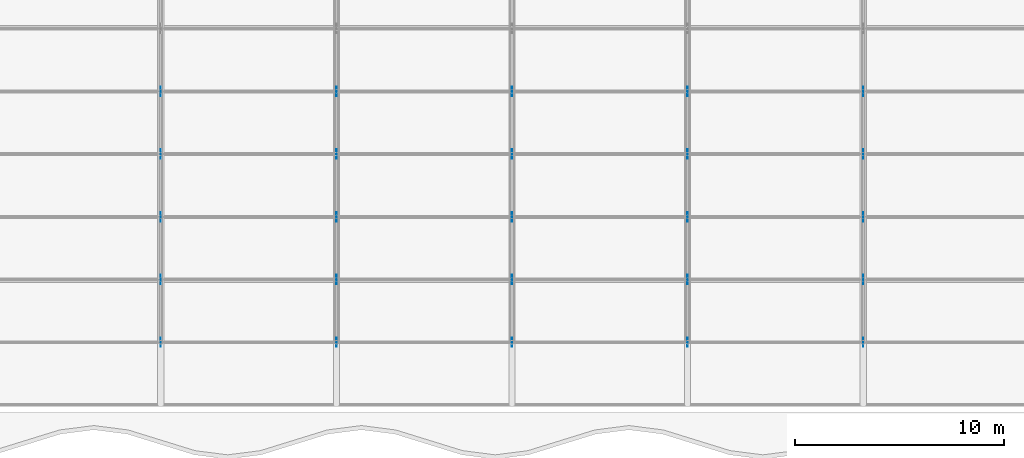
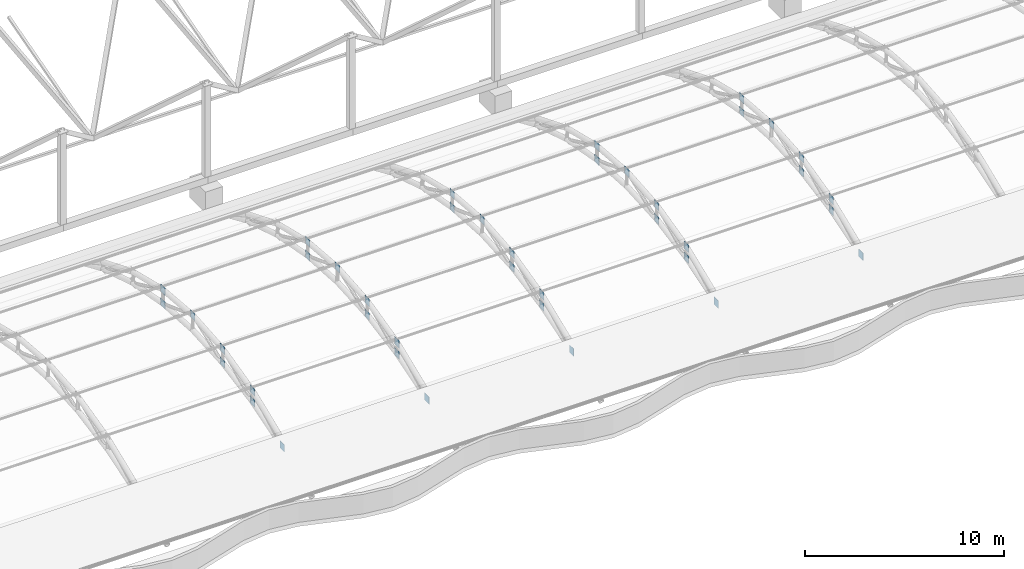
# One storey, part 124 of 163: 40 discrete accessories.
"""IFC4 building model written with IfcOpenShell, lengths in metres."""

from ifc_helpers import new_model, si_unit, direction, frame, origin, origin_2d, place, context, subcontext, project, spatial, rectangle, extrude, material, layer, layer_set, type_object, element, save


model = new_model("IFC4")

# Units and contexts
model_context = context("Model", 3, precision=1e-05, world=origin(), true_north=direction((0.0, 1.0)))
body_context = subcontext(model_context, "Body", "Model", "MODEL_VIEW")
ifc_project = project(units=[si_unit("LENGTHUNIT", "METRE"), si_unit("AREAUNIT", "SQUARE_METRE"), si_unit("VOLUMEUNIT", "CUBIC_METRE"), si_unit("PLANEANGLEUNIT", "RADIAN"), si_unit("MASSUNIT", "GRAM", prefix="KILO")], contexts=[model_context])

# Site, building, storey
site_placement = place(None, origin())
site = spatial("IfcSite", under=ifc_project, at=site_placement, CompositionType="ELEMENT")
building_placement = place(site_placement, origin())
building = spatial("IfcBuilding", under=site, at=building_placement, Name="Rain Tree Exposition and Congress Centre", CompositionType="ELEMENT")
storey_placement = place(building_placement, frame((0.0, 0.0, 10.5)))
storey = spatial("IfcBuildingStorey", under=building, at=storey_placement, Name="L02", CompositionType="ELEMENT", Elevation=10.5)

# Discrete accessories
ifc_material = material(Name="Steel plate S355J2", Category="steel")
ifc_layer = layer(ifc_material, 0.02001953125)
ifc_layer_set = layer_set([ifc_layer], Name="Steel plate S355J2")
discrete_accessory_type = type_object("IfcDiscreteAccessoryType", Name="Brace node plate 450x450x20", PredefinedType="BRACKET", material=ifc_layer_set)
for number, where, z_axis, x_axis, name in (
    (1, (67.199951171875, 78.60009765625, 1.21728515625), (0.0, 0.0, 1.0), (0.0, 1.0, 0.0), "Brace node plate 450"),
    (2, (67.199951171875, 81.60009765625, 2.830078125), (0.0, 0.0, 1.0), (0.0, -1.0, 0.0), "Brace node plate 450"),
    (3, (67.199951171875, 81.60009765625, 2.15478515625), (0.0, 0.0, 1.0), (0.0, 1.0, 0.0), "Brace node plate 450"),
    (4, (67.199951171875, 84.60009765625, 3.5615234375), (0.0, 0.0, 1.0), (0.0, -1.0, 0.0), "Brace node plate 450"),
    (5, (67.199951171875, 84.60009765625, 2.71728515625), (0.0, 0.0, 1.0), (0.0, 1.0, 0.0), "Brace node plate 450"),
    (6, (67.199951171875, 87.60009765625, 3.80517578125), (0.0, 0.0, 1.0), (0.0, 1.0, 0.0), "Brace node plate 450"),
    (7, (67.199951171875, 90.60009765625, 2.71728515625), (0.0, 0.0, 1.0), (0.0, -1.0, 0.0), "Brace node plate 450"),
    (8, (67.199951171875, 90.60009765625, 3.5615234375), (0.0, 0.0, 1.0), (0.0, 1.0, 0.0), "Brace node plate 450"),
    (9, (75.60009765625, 78.60009765625, 1.21728515625), (0.0, 0.0, 1.0), (0.0, 1.0, 0.0), "Brace node plate 450"),
    (10, (75.60009765625, 81.60009765625, 2.830078125), (0.0, 0.0, 1.0), (0.0, -1.0, 0.0), "Brace node plate 450"),
    (11, (75.60009765625, 81.60009765625, 2.15478515625), (0.0, 0.0, 1.0), (0.0, 1.0, 0.0), "Brace node plate 450"),
    (12, (75.60009765625, 84.60009765625, 3.5615234375), (0.0, 0.0, 1.0), (0.0, -1.0, 0.0), "Brace node plate 450"),
    (13, (75.60009765625, 84.60009765625, 2.71728515625), (0.0, 0.0, 1.0), (0.0, 1.0, 0.0), "Brace node plate 450"),
    (14, (75.60009765625, 87.60009765625, 3.80517578125), (0.0, 0.0, 1.0), (0.0, 1.0, 0.0), "Brace node plate 450"),
    (15, (75.60009765625, 90.60009765625, 2.71728515625), (0.0, 0.0, 1.0), (0.0, -1.0, 0.0), "Brace node plate 450"),
    (16, (75.60009765625, 90.60009765625, 3.5615234375), (0.0, 0.0, 1.0), (0.0, 1.0, 0.0), "Brace node plate 450"),
    (17, (84.0, 78.60009765625, 1.21728515625), (0.0, 0.0, 1.0), (0.0, 1.0, 0.0), "Brace node plate 450"),
    (18, (84.0, 81.60009765625, 2.830078125), (0.0, 0.0, 1.0), (0.0, -1.0, 0.0), "Brace node plate 450"),
    (19, (84.0, 81.60009765625, 2.15478515625), (0.0, 0.0, 1.0), (0.0, 1.0, 0.0), "Brace node plate 450"),
    (20, (84.0, 84.60009765625, 3.5615234375), (0.0, 0.0, 1.0), (0.0, -1.0, 0.0), "Brace node plate 450"),
    (21, (84.0, 84.60009765625, 2.71728515625), (0.0, 0.0, 1.0), (0.0, 1.0, 0.0), "Brace node plate 450"),
    (22, (84.0, 87.60009765625, 3.80517578125), (0.0, 0.0, 1.0), (0.0, 1.0, 0.0), "Brace node plate 450"),
    (23, (84.0, 90.60009765625, 2.71728515625), (0.0, 0.0, 1.0), (0.0, -1.0, 0.0), "Brace node plate 450"),
    (24, (84.0, 90.60009765625, 3.5615234375), (0.0, 0.0, 1.0), (0.0, 1.0, 0.0), "Brace node plate 450"),
    (25, (92.39990234375, 78.60009765625, 1.21728515625), (0.0, 0.0, 1.0), (0.0, 1.0, 0.0), "Brace node plate 450"),
    (26, (92.39990234375, 81.60009765625, 2.830078125), (0.0, 0.0, 1.0), (0.0, -1.0, 0.0), "Brace node plate 450"),
    (27, (92.39990234375, 81.60009765625, 2.15478515625), (0.0, 0.0, 1.0), (0.0, 1.0, 0.0), "Brace node plate 450"),
    (28, (92.39990234375, 84.60009765625, 3.5615234375), (0.0, 0.0, 1.0), (0.0, -1.0, 0.0), "Brace node plate 450"),
    (29, (92.39990234375, 84.60009765625, 2.71728515625), (0.0, 0.0, 1.0), (0.0, 1.0, 0.0), "Brace node plate 450"),
    (30, (92.39990234375, 87.60009765625, 3.80517578125), (0.0, 0.0, 1.0), (0.0, 1.0, 0.0), "Brace node plate 450"),
    (31, (92.39990234375, 90.60009765625, 2.71728515625), (0.0, 0.0, 1.0), (0.0, -1.0, 0.0), "Brace node plate 450"),
    (32, (92.39990234375, 90.60009765625, 3.5615234375), (0.0, 0.0, 1.0), (0.0, 1.0, 0.0), "Brace node plate 450"),
    (33, (100.800048828125, 78.60009765625, 1.21728515625), (0.0, 0.0, 1.0), (0.0, 1.0, 0.0), "Brace node plate 450"),
    (34, (100.800048828125, 81.60009765625, 2.830078125), (0.0, 0.0, 1.0), (0.0, -1.0, 0.0), "Brace node plate 450"),
    (35, (100.800048828125, 81.60009765625, 2.15478515625), (0.0, 0.0, 1.0), (0.0, 1.0, 0.0), "Brace node plate 450"),
    (36, (100.800048828125, 84.60009765625, 3.5615234375), (0.0, 0.0, 1.0), (0.0, -1.0, 0.0), "Brace node plate 450"),
    (37, (100.800048828125, 84.60009765625, 2.71728515625), (0.0, 0.0, 1.0), (0.0, 1.0, 0.0), "Brace node plate 450"),
    (38, (100.800048828125, 87.60009765625, 3.80517578125), (0.0, 0.0, 1.0), (0.0, 1.0, 0.0), "Brace node plate 450"),
    (39, (100.800048828125, 90.60009765625, 2.71728515625), (0.0, 0.0, 1.0), (0.0, -1.0, 0.0), "Brace node plate 450"),
    (40, (100.800048828125, 90.60009765625, 3.5615234375), (0.0, 0.0, 1.0), (0.0, 1.0, 0.0), "Brace node plate 450"),
):
    element("IfcDiscreteAccessory", number, at=place(storey_placement, frame(where, z_axis=z_axis, x_axis=x_axis)), inside=storey, type_object=discrete_accessory_type, Name=name, PredefinedType="BRACKET", context=body_context, shape_type="SweptSolid", body=[
        extrude(rectangle(XDim=0.449951171875, YDim=0.02001953125, at=origin_2d()), origin(), (0.0, 0.0, 1.0), 0.449951171875),
    ])

save(model, "model.ifc")
